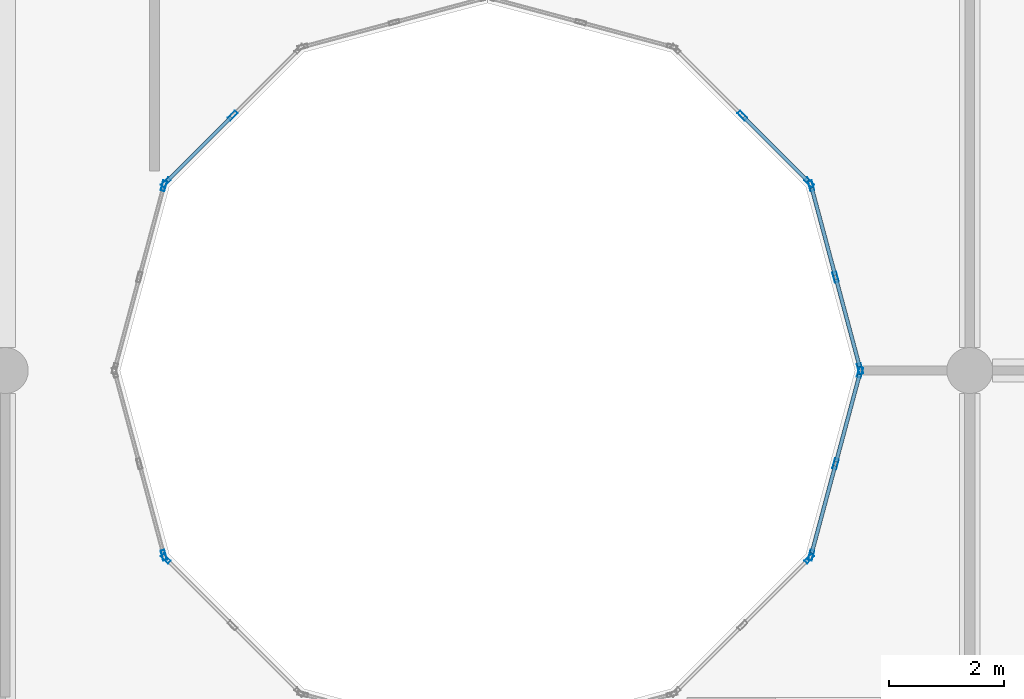
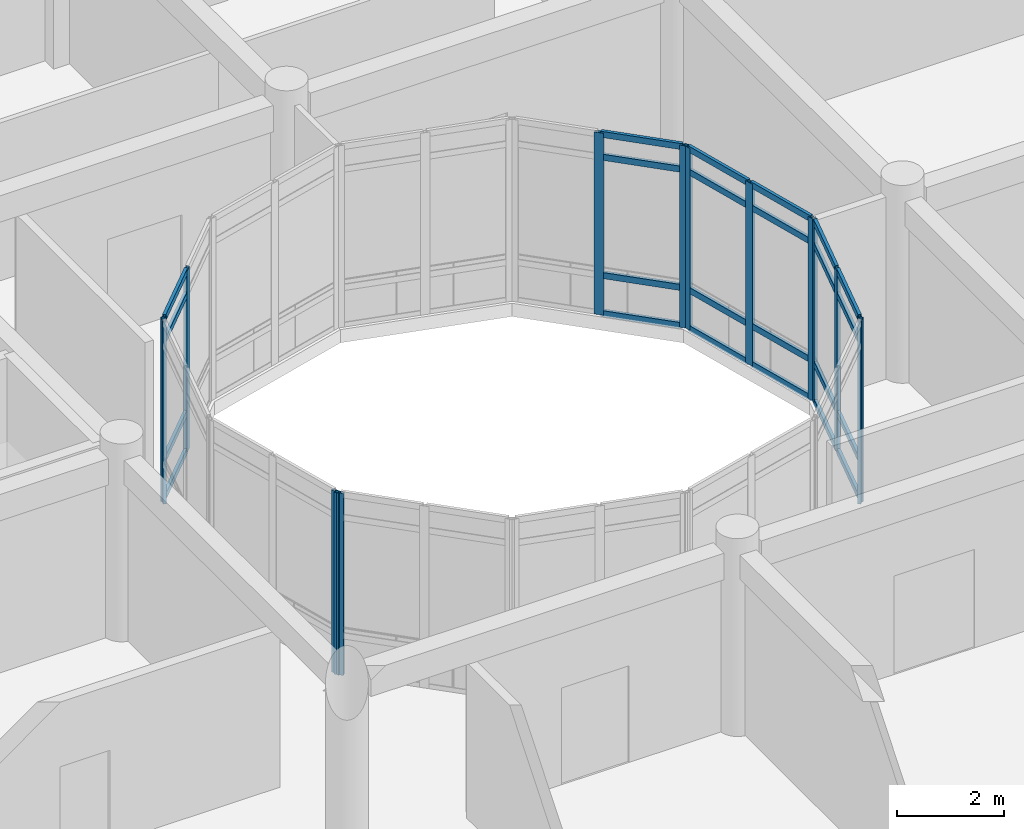
# One storey, part 53 of 144: 38 members, 8 elements without a shape of their own.
"""IFC4 building model written with IfcOpenShell, lengths in metres."""

from ifc_helpers import new_model, si_unit, direction, frame, origin, origin_2d, place, context, subcontext, project, spatial, hollow_rectangle, extrude, material, layer, layer_set, material_profile, profile_set, type_object, element, aggregate, save


model = new_model("IFC4")

# Units and contexts
model_context = context("Model", 3, precision=1e-05, world=origin(), true_north=direction((0.0, 1.0)))
body_context = subcontext(model_context, "Body", "Model", "MODEL_VIEW")
ifc_project = project(units=[si_unit("LENGTHUNIT", "METRE"), si_unit("AREAUNIT", "SQUARE_METRE"), si_unit("VOLUMEUNIT", "CUBIC_METRE"), si_unit("PLANEANGLEUNIT", "RADIAN"), si_unit("MASSUNIT", "GRAM", prefix="KILO")], contexts=[model_context])

# Site, building, storey
site_placement = place(None, origin())
site = spatial("IfcSite", under=ifc_project, at=site_placement, CompositionType="ELEMENT")
building_placement = place(site_placement, origin())
building = spatial("IfcBuilding", under=site, at=building_placement, Name="Bramfleet General Hospital", CompositionType="ELEMENT")
storey_placement = place(building_placement, frame((0.0, 0.0, 4.800048828125)))
storey = spatial("IfcBuildingStorey", under=building, at=storey_placement, Name="L01", CompositionType="ELEMENT", Elevation=4.800048828125)

# Curtain wall, member
ifc_material_1 = material(Name="Anodised aluminium and low-E triple glazing", Category="aluminium")
ifc_layer_1 = layer(ifc_material_1, 0.179931640625, Name="CWT-CW-17")
ifc_layer_set_1 = layer_set([ifc_layer_1], Name="Anodised aluminium and low-E triple glazing")
curtain_wall_type_1 = type_object("IfcCurtainWallType", Name="CWT-CW-17", PredefinedType="USERDEFINED", material=ifc_layer_set_1)
curtain_wall_1_placement = place(storey_placement, origin())
curtain_wall_1 = element("IfcCurtainWall", 1, at=curtain_wall_1_placement, inside=storey, type_object=curtain_wall_type_1, Name="L01 East Laboratory Light Court Curtain Wall 1.1", ObjectType="Stick curtain wall", PredefinedType="USERDEFINED")
ifc_material_2 = material(Name="Anodised aluminium EN AW-6060", Category="aluminium")
ifc_material_profile_1 = material_profile(ifc_material_2, hollow_rectangle(XDim=0.070068359375, YDim=0.179931640625, WallThickness=0.00390625, at=origin_2d()), Name="ALU 180x70x4.0")
ifc_profile_set_1 = profile_set([ifc_material_profile_1], Name="Anodised aluminium EN AW-6060")
member_type_1 = type_object("IfcMemberType", Name="CWM-ALU180", PredefinedType="MULLION", material=ifc_profile_set_1)
member_1_placement = place(storey_placement, frame((111.9619140625, 63.98388671875, 0.0), z_axis=(0.0, 0.0, 1.0), x_axis=(0.965913556273, 0.258864833085, 0.0)))
member_1 = element("IfcMember", 2, at=member_1_placement, type_object=member_type_1, Name="CW-17 mullion 3", PredefinedType="MULLION", context=body_context, shape_type="SweptSolid", body=[
    extrude(hollow_rectangle(XDim=0.070068359375, YDim=0.179931640625, WallThickness=0.00390625, at=origin_2d()), origin(), (0.0, 0.0, 1.0), 4.139892578125),
])
aggregate(curtain_wall_1, [member_1])

ifc_layer_2 = layer(ifc_material_1, 0.179931640625, Name="CWT-CW-18")
ifc_layer_set_2 = layer_set([ifc_layer_2], Name="Anodised aluminium and low-E triple glazing")
curtain_wall_type_2 = type_object("IfcCurtainWallType", Name="CWT-CW-18", PredefinedType="USERDEFINED", material=ifc_layer_set_2)
curtain_wall_2_placement = place(storey_placement, origin())
curtain_wall_2 = element("IfcCurtainWall", 3, at=curtain_wall_2_placement, inside=storey, type_object=curtain_wall_type_2, Name="L01 East Laboratory Light Court Curtain Wall 2.1", ObjectType="Stick curtain wall", PredefinedType="USERDEFINED")
member_2_placement = place(storey_placement, frame((111.995849609375, 63.92529296875, 0.0), z_axis=(0.0, 0.0, 1.0), x_axis=(0.707106781187, 0.707106781187, 0.0)))
member_2 = element("IfcMember", 4, at=member_2_placement, type_object=member_type_1, Name="CW-18 mullion 1", PredefinedType="MULLION", context=body_context, shape_type="SweptSolid", body=[
    extrude(hollow_rectangle(XDim=0.070068359375, YDim=0.179931640625, WallThickness=0.00390625, at=origin_2d()), origin(), (0.0, 0.0, 1.0), 4.139892578125),
])
aggregate(curtain_wall_2, [member_2])

ifc_layer_3 = layer(ifc_material_1, 0.179931640625, Name="CWT-CW-13")
ifc_layer_set_3 = layer_set([ifc_layer_3], Name="Anodised aluminium and low-E triple glazing")
curtain_wall_type_3 = type_object("IfcCurtainWallType", Name="CWT-CW-13", PredefinedType="USERDEFINED", material=ifc_layer_set_3)
curtain_wall_3_placement = place(storey_placement, origin())
curtain_wall_3 = element("IfcCurtainWall", 5, at=curtain_wall_3_placement, inside=storey, type_object=curtain_wall_type_3, Name="L01 East Laboratory Light Court Curtain Wall 5.1", ObjectType="Stick curtain wall", PredefinedType="USERDEFINED")
member_3_placement = place(storey_placement, frame((123.204345703125, 63.92529296875, 0.0), z_axis=(0.0, 0.0, 1.0), x_axis=(-0.707106781187, 0.707106781187, 0.0)))
member_3 = element("IfcMember", 6, at=member_3_placement, type_object=member_type_1, Name="CW-13 mullion 3", PredefinedType="MULLION", context=body_context, shape_type="SweptSolid", body=[
    extrude(hollow_rectangle(XDim=0.070068359375, YDim=0.179931640625, WallThickness=0.00390625, at=origin_2d()), origin(), (0.0, 0.0, 1.0), 4.139892578125),
])
aggregate(curtain_wall_3, [member_3])

# Curtain wall, members
ifc_layer_4 = layer(ifc_material_1, 0.179931640625, Name="CWT-CW-14")
ifc_layer_set_4 = layer_set([ifc_layer_4], Name="Anodised aluminium and low-E triple glazing")
curtain_wall_type_4 = type_object("IfcCurtainWallType", Name="CWT-CW-14", PredefinedType="USERDEFINED", material=ifc_layer_set_4)
curtain_wall_4_placement = place(storey_placement, origin())
curtain_wall_4 = element("IfcCurtainWall", 7, at=curtain_wall_4_placement, inside=storey, type_object=curtain_wall_type_4, Name="L01 East Laboratory Light Court Curtain Wall 6.1", ObjectType="Stick curtain wall", PredefinedType="USERDEFINED")
member_4_placement = place(storey_placement, frame((123.238037109375, 63.98388671875, 0.0), z_axis=(0.0, 0.0, 1.0), x_axis=(-0.965913556273, 0.258864833085, 0.0)))
member_4 = element("IfcMember", 8, at=member_4_placement, type_object=member_type_1, Name="CW-14 mullion 1", PredefinedType="MULLION", context=body_context, shape_type="SweptSolid", body=[
    extrude(hollow_rectangle(XDim=0.070068359375, YDim=0.179931640625, WallThickness=0.00390625, at=origin_2d()), origin(), (0.0, 0.0, 1.0), 4.139892578125),
])
member_5_placement = place(storey_placement, frame((123.66455078125, 65.574951171875, 0.0), z_axis=(0.0, 0.0, 1.0), x_axis=(-0.965913556273, 0.258864833085, 0.0)))
member_5 = element("IfcMember", 9, at=member_5_placement, type_object=member_type_1, Name="CW-14 mullion 2", PredefinedType="MULLION", context=body_context, shape_type="SweptSolid", body=[
    extrude(hollow_rectangle(XDim=0.070068359375, YDim=0.179931640625, WallThickness=0.00390625, at=origin_2d()), origin(), (0.0, 0.0, 1.0), 4.139892578125),
])
member_6_placement = place(storey_placement, frame((124.0908203125, 67.166259765625, 0.0), z_axis=(0.0, 0.0, 1.0), x_axis=(-0.965913556273, 0.258864833085, 0.0)))
member_6 = element("IfcMember", 10, at=member_6_placement, type_object=member_type_1, Name="CW-14 mullion 3", PredefinedType="MULLION", context=body_context, shape_type="SweptSolid", body=[
    extrude(hollow_rectangle(XDim=0.070068359375, YDim=0.179931640625, WallThickness=0.00390625, at=origin_2d()), origin(), (0.0, 0.0, 1.0), 4.139892578125),
])

ifc_layer_5 = layer(ifc_material_1, 0.179931640625, Name="CWT-CW-15")
ifc_layer_set_5 = layer_set([ifc_layer_5], Name="Anodised aluminium and low-E triple glazing")
curtain_wall_type_5 = type_object("IfcCurtainWallType", Name="CWT-CW-15", PredefinedType="USERDEFINED", material=ifc_layer_set_5)
curtain_wall_5_placement = place(storey_placement, origin())
curtain_wall_5 = element("IfcCurtainWall", 11, at=curtain_wall_5_placement, inside=storey, type_object=curtain_wall_type_5, Name="L01 East Laboratory Light Court Curtain Wall 7.1", ObjectType="Stick curtain wall", PredefinedType="USERDEFINED")
member_7_placement = place(storey_placement, frame((124.0908203125, 67.23388671875, 0.0), z_axis=(0.0, 0.0, 1.0), x_axis=(-0.965913556273, -0.258864833085, 0.0)))
member_7 = element("IfcMember", 12, at=member_7_placement, type_object=member_type_1, Name="CW-15 mullion 1", PredefinedType="MULLION", context=body_context, shape_type="SweptSolid", body=[
    extrude(hollow_rectangle(XDim=0.070068359375, YDim=0.179931640625, WallThickness=0.00390625, at=origin_2d()), origin(), (0.0, 0.0, 1.0), 4.139892578125),
])
member_8_placement = place(storey_placement, frame((123.66455078125, 68.824951171875, 0.0), z_axis=(0.0, 0.0, 1.0), x_axis=(-0.965913556273, -0.258864833085, 0.0)))
member_8 = element("IfcMember", 13, at=member_8_placement, type_object=member_type_1, Name="CW-15 mullion 2", PredefinedType="MULLION", context=body_context, shape_type="SweptSolid", body=[
    extrude(hollow_rectangle(XDim=0.070068359375, YDim=0.179931640625, WallThickness=0.00390625, at=origin_2d()), origin(), (0.0, 0.0, 1.0), 4.139892578125),
])
member_9_placement = place(storey_placement, frame((123.238037109375, 70.416259765625, 0.0), z_axis=(0.0, 0.0, 1.0), x_axis=(-0.965913556273, -0.258864833085, 0.0)))
member_9 = element("IfcMember", 14, at=member_9_placement, type_object=member_type_1, Name="CW-15 mullion 3", PredefinedType="MULLION", context=body_context, shape_type="SweptSolid", body=[
    extrude(hollow_rectangle(XDim=0.070068359375, YDim=0.179931640625, WallThickness=0.00390625, at=origin_2d()), origin(), (0.0, 0.0, 1.0), 4.139892578125),
])

ifc_layer_6 = layer(ifc_material_1, 0.179931640625, Name="CWT-CW-16")
ifc_layer_set_6 = layer_set([ifc_layer_6], Name="Anodised aluminium and low-E triple glazing")
curtain_wall_type_6 = type_object("IfcCurtainWallType", Name="CWT-CW-16", PredefinedType="USERDEFINED", material=ifc_layer_set_6)
curtain_wall_6_placement = place(storey_placement, origin())
curtain_wall_6 = element("IfcCurtainWall", 15, at=curtain_wall_6_placement, inside=storey, type_object=curtain_wall_type_6, Name="L01 East Laboratory Light Court Curtain Wall 8.1", ObjectType="Stick curtain wall", PredefinedType="USERDEFINED")
member_10_placement = place(storey_placement, frame((123.204345703125, 70.474853515625, 0.0), z_axis=(0.0, 0.0, 1.0), x_axis=(-0.707106781187, -0.707106781187, 0.0)))
member_10 = element("IfcMember", 16, at=member_10_placement, type_object=member_type_1, Name="CW-16 mullion 1", PredefinedType="MULLION", context=body_context, shape_type="SweptSolid", body=[
    extrude(hollow_rectangle(XDim=0.070068359375, YDim=0.179931640625, WallThickness=0.00390625, at=origin_2d()), origin(), (0.0, 0.0, 1.0), 4.139892578125),
])
member_11_placement = place(storey_placement, frame((122.03955078125, 71.639404296875, 0.0), z_axis=(0.0, 0.0, 1.0), x_axis=(-0.707106781187, -0.707106781187, 0.0)))
member_11 = element("IfcMember", 17, at=member_11_placement, type_object=member_type_1, Name="CW-16 mullion 2", PredefinedType="MULLION", context=body_context, shape_type="SweptSolid", body=[
    extrude(hollow_rectangle(XDim=0.070068359375, YDim=0.179931640625, WallThickness=0.00390625, at=origin_2d()), origin(), (0.0, 0.0, 1.0), 4.139892578125),
])

ifc_layer_7 = layer(ifc_material_1, 0.179931640625, Name="CWT-CW-11")
ifc_layer_set_7 = layer_set([ifc_layer_7], Name="Anodised aluminium and low-E triple glazing")
curtain_wall_type_7 = type_object("IfcCurtainWallType", Name="CWT-CW-11", PredefinedType="USERDEFINED", material=ifc_layer_set_7)
curtain_wall_7_placement = place(storey_placement, origin())
curtain_wall_7 = element("IfcCurtainWall", 18, at=curtain_wall_7_placement, inside=storey, type_object=curtain_wall_type_7, Name="L01 East Laboratory Light Court Curtain Wall 11.1", ObjectType="Stick curtain wall", PredefinedType="USERDEFINED")
member_12_placement = place(storey_placement, frame((113.160400390625, 71.639404296875, 0.0), z_axis=(0.0, 0.0, 1.0), x_axis=(0.707106781187, -0.707106781187, 0.0)))
member_12 = element("IfcMember", 19, at=member_12_placement, type_object=member_type_1, Name="CW-11 mullion 2", PredefinedType="MULLION", context=body_context, shape_type="SweptSolid", body=[
    extrude(hollow_rectangle(XDim=0.070068359375, YDim=0.179931640625, WallThickness=0.00390625, at=origin_2d()), origin(), (0.0, 0.0, 1.0), 4.139892578125),
])
member_13_placement = place(storey_placement, frame((111.995849609375, 70.474853515625, 0.0), z_axis=(0.0, 0.0, 1.0), x_axis=(0.707106781187, -0.707106781187, 0.0)))
member_13 = element("IfcMember", 20, at=member_13_placement, type_object=member_type_1, Name="CW-11 mullion 3", PredefinedType="MULLION", context=body_context, shape_type="SweptSolid", body=[
    extrude(hollow_rectangle(XDim=0.070068359375, YDim=0.179931640625, WallThickness=0.00390625, at=origin_2d()), origin(), (0.0, 0.0, 1.0), 4.139892578125),
])

# Curtain wall, member
ifc_layer_8 = layer(ifc_material_1, 0.179931640625, Name="CWT-CW-12")
ifc_layer_set_8 = layer_set([ifc_layer_8], Name="Anodised aluminium and low-E triple glazing")
curtain_wall_type_8 = type_object("IfcCurtainWallType", Name="CWT-CW-12", PredefinedType="USERDEFINED", material=ifc_layer_set_8)
curtain_wall_8_placement = place(storey_placement, origin())
curtain_wall_8 = element("IfcCurtainWall", 21, at=curtain_wall_8_placement, inside=storey, type_object=curtain_wall_type_8, Name="L01 East Laboratory Light Court Curtain Wall 12.1", ObjectType="Stick curtain wall", PredefinedType="USERDEFINED")
member_14_placement = place(storey_placement, frame((111.9619140625, 70.416259765625, 0.0), z_axis=(0.0, 0.0, 1.0), x_axis=(0.965913556273, -0.258864833085, 0.0)))
member_14 = element("IfcMember", 22, at=member_14_placement, type_object=member_type_1, Name="CW-12 mullion 1", PredefinedType="MULLION", context=body_context, shape_type="SweptSolid", body=[
    extrude(hollow_rectangle(XDim=0.070068359375, YDim=0.179931640625, WallThickness=0.00390625, at=origin_2d()), origin(), (0.0, 0.0, 1.0), 4.139892578125),
])
aggregate(curtain_wall_8, [member_14])

# Member
ifc_material_profile_2 = material_profile(ifc_material_2, hollow_rectangle(XDim=0.06494140625, YDim=0.139892578125, WallThickness=0.00390625, at=origin_2d()), Name="ALU 140x65x4.0")
ifc_profile_set_2 = profile_set([ifc_material_profile_2], Name="Anodised aluminium EN AW-6060")
member_type_2 = type_object("IfcMemberType", Name="CWT-ALU140", PredefinedType="USERDEFINED", material=ifc_profile_set_2)
member_15_placement = place(storey_placement, frame((123.2470703125, 64.017578125, 0.032470703125), z_axis=(0.258924323505, 0.965897610877, 0.0), x_axis=(-0.965897610877, 0.258924323505, 0.0)))
member_15 = element("IfcMember", 23, at=member_15_placement, type_object=member_type_2, Name="CW-14 transom 1.1", ObjectType="TRANSOM", PredefinedType="USERDEFINED", context=body_context, shape_type="SweptSolid", body=[
    extrude(hollow_rectangle(XDim=0.06494140625, YDim=0.139892578125, WallThickness=0.00390625, at=origin_2d()), origin(), (0.0, 0.0, 1.0), 1.577392578125),
])

member_16_placement = place(storey_placement, frame((123.2470703125, 64.017578125, 0.89990234375), z_axis=(0.258924323505, 0.965897610877, 0.0), x_axis=(-0.965897610877, 0.258924323505, 0.0)))
member_16 = element("IfcMember", 24, at=member_16_placement, type_object=member_type_2, Name="CW-14 transom 1.2", ObjectType="TRANSOM", PredefinedType="USERDEFINED", context=body_context, shape_type="SweptSolid", body=[
    extrude(hollow_rectangle(XDim=0.06494140625, YDim=0.139892578125, WallThickness=0.00390625, at=origin_2d()), origin(), (0.0, 0.0, 1.0), 1.577392578125),
])

member_17_placement = place(storey_placement, frame((123.2470703125, 64.017578125, 3.58984375), z_axis=(0.258924323505, 0.965897610877, 0.0), x_axis=(-0.965897610877, 0.258924323505, 0.0)))
member_17 = element("IfcMember", 25, at=member_17_placement, type_object=member_type_2, Name="CW-14 transom 1.3", ObjectType="TRANSOM", PredefinedType="USERDEFINED", context=body_context, shape_type="SweptSolid", body=[
    extrude(hollow_rectangle(XDim=0.06494140625, YDim=0.139892578125, WallThickness=0.00390625, at=origin_2d()), origin(), (0.0, 0.0, 1.0), 1.577392578125),
])

member_18_placement = place(storey_placement, frame((123.2470703125, 64.017578125, 4.107421875), z_axis=(0.258924323505, 0.965897610877, 0.0), x_axis=(-0.965897610877, 0.258924323505, 0.0)))
member_18 = element("IfcMember", 26, at=member_18_placement, type_object=member_type_2, Name="CW-14 transom 1.4", ObjectType="TRANSOM", PredefinedType="USERDEFINED", context=body_context, shape_type="SweptSolid", body=[
    extrude(hollow_rectangle(XDim=0.06494140625, YDim=0.139892578125, WallThickness=0.00390625, at=origin_2d()), origin(), (0.0, 0.0, 1.0), 1.577392578125),
])

member_19_placement = place(storey_placement, frame((123.673583984375, 65.60888671875, 0.032470703125), z_axis=(0.258818617489, 0.965925940868, 0.0), x_axis=(-0.965925940868, 0.258818617489, 0.0)))
member_19 = element("IfcMember", 27, at=member_19_placement, type_object=member_type_2, Name="CW-14 transom 2.1", ObjectType="TRANSOM", PredefinedType="USERDEFINED", context=body_context, shape_type="SweptSolid", body=[
    extrude(hollow_rectangle(XDim=0.06494140625, YDim=0.139892578125, WallThickness=0.00390625, at=origin_2d()), origin(), (0.0, 0.0, 1.0), 1.5771484375),
])

member_20_placement = place(storey_placement, frame((123.673583984375, 65.60888671875, 0.89990234375), z_axis=(0.258818617489, 0.965925940868, 0.0), x_axis=(-0.965925940868, 0.258818617489, 0.0)))
member_20 = element("IfcMember", 28, at=member_20_placement, type_object=member_type_2, Name="CW-14 transom 2.2", ObjectType="TRANSOM", PredefinedType="USERDEFINED", context=body_context, shape_type="SweptSolid", body=[
    extrude(hollow_rectangle(XDim=0.06494140625, YDim=0.139892578125, WallThickness=0.00390625, at=origin_2d()), origin(), (0.0, 0.0, 1.0), 1.5771484375),
])

member_21_placement = place(storey_placement, frame((123.673583984375, 65.60888671875, 3.58984375), z_axis=(0.258818617489, 0.965925940868, 0.0), x_axis=(-0.965925940868, 0.258818617489, 0.0)))
member_21 = element("IfcMember", 29, at=member_21_placement, type_object=member_type_2, Name="CW-14 transom 2.3", ObjectType="TRANSOM", PredefinedType="USERDEFINED", context=body_context, shape_type="SweptSolid", body=[
    extrude(hollow_rectangle(XDim=0.06494140625, YDim=0.139892578125, WallThickness=0.00390625, at=origin_2d()), origin(), (0.0, 0.0, 1.0), 1.5771484375),
])

member_22_placement = place(storey_placement, frame((123.673583984375, 65.60888671875, 4.107421875), z_axis=(0.258818617489, 0.965925940868, 0.0), x_axis=(-0.965925940868, 0.258818617489, 0.0)))
member_22 = element("IfcMember", 30, at=member_22_placement, type_object=member_type_2, Name="CW-14 transom 2.4", ObjectType="TRANSOM", PredefinedType="USERDEFINED", context=body_context, shape_type="SweptSolid", body=[
    extrude(hollow_rectangle(XDim=0.06494140625, YDim=0.139892578125, WallThickness=0.00390625, at=origin_2d()), origin(), (0.0, 0.0, 1.0), 1.5771484375),
])

aggregate(curtain_wall_4, [member_4, member_5, member_6, member_15, member_16, member_17, member_18, member_19, member_20, member_21, member_22])

member_23_placement = place(storey_placement, frame((124.081787109375, 67.267578125, 0.032470703125), z_axis=(-0.25877992417, 0.965936307862, 0.0), x_axis=(-0.965936307862, -0.25877992417, 0.0)))
member_23 = element("IfcMember", 31, at=member_23_placement, type_object=member_type_2, Name="CW-15 transom 1.1", ObjectType="TRANSOM", PredefinedType="USERDEFINED", context=body_context, shape_type="SweptSolid", body=[
    extrude(hollow_rectangle(XDim=0.06494140625, YDim=0.139892578125, WallThickness=0.00390625, at=origin_2d()), origin(), (0.0, 0.0, 1.0), 1.577392578125),
])

member_24_placement = place(storey_placement, frame((124.081787109375, 67.267578125, 0.89990234375), z_axis=(-0.25877992417, 0.965936307862, 0.0), x_axis=(-0.965936307862, -0.25877992417, 0.0)))
member_24 = element("IfcMember", 32, at=member_24_placement, type_object=member_type_2, Name="CW-15 transom 1.2", ObjectType="TRANSOM", PredefinedType="USERDEFINED", context=body_context, shape_type="SweptSolid", body=[
    extrude(hollow_rectangle(XDim=0.06494140625, YDim=0.139892578125, WallThickness=0.00390625, at=origin_2d()), origin(), (0.0, 0.0, 1.0), 1.577392578125),
])

member_25_placement = place(storey_placement, frame((124.081787109375, 67.267578125, 3.58984375), z_axis=(-0.25877992417, 0.965936307862, 0.0), x_axis=(-0.965936307862, -0.25877992417, 0.0)))
member_25 = element("IfcMember", 33, at=member_25_placement, type_object=member_type_2, Name="CW-15 transom 1.3", ObjectType="TRANSOM", PredefinedType="USERDEFINED", context=body_context, shape_type="SweptSolid", body=[
    extrude(hollow_rectangle(XDim=0.06494140625, YDim=0.139892578125, WallThickness=0.00390625, at=origin_2d()), origin(), (0.0, 0.0, 1.0), 1.577392578125),
])

member_26_placement = place(storey_placement, frame((124.081787109375, 67.267578125, 4.107421875), z_axis=(-0.25877992417, 0.965936307862, 0.0), x_axis=(-0.965936307862, -0.25877992417, 0.0)))
member_26 = element("IfcMember", 34, at=member_26_placement, type_object=member_type_2, Name="CW-15 transom 1.4", ObjectType="TRANSOM", PredefinedType="USERDEFINED", context=body_context, shape_type="SweptSolid", body=[
    extrude(hollow_rectangle(XDim=0.06494140625, YDim=0.139892578125, WallThickness=0.00390625, at=origin_2d()), origin(), (0.0, 0.0, 1.0), 1.577392578125),
])

member_27_placement = place(storey_placement, frame((123.655517578125, 68.85888671875, 0.032470703125), z_axis=(-0.258963035312, 0.965887232725, 0.0), x_axis=(-0.965887232725, -0.258963035312, 0.0)))
member_27 = element("IfcMember", 35, at=member_27_placement, type_object=member_type_2, Name="CW-15 transom 2.1", ObjectType="TRANSOM", PredefinedType="USERDEFINED", context=body_context, shape_type="SweptSolid", body=[
    extrude(hollow_rectangle(XDim=0.06494140625, YDim=0.139892578125, WallThickness=0.00390625, at=origin_2d()), origin(), (0.0, 0.0, 1.0), 1.5771484375),
])

member_28_placement = place(storey_placement, frame((123.655517578125, 68.85888671875, 0.89990234375), z_axis=(-0.258963035312, 0.965887232725, 0.0), x_axis=(-0.965887232725, -0.258963035312, 0.0)))
member_28 = element("IfcMember", 36, at=member_28_placement, type_object=member_type_2, Name="CW-15 transom 2.2", ObjectType="TRANSOM", PredefinedType="USERDEFINED", context=body_context, shape_type="SweptSolid", body=[
    extrude(hollow_rectangle(XDim=0.06494140625, YDim=0.139892578125, WallThickness=0.00390625, at=origin_2d()), origin(), (0.0, 0.0, 1.0), 1.5771484375),
])

member_29_placement = place(storey_placement, frame((123.655517578125, 68.85888671875, 3.58984375), z_axis=(-0.258963035312, 0.965887232725, 0.0), x_axis=(-0.965887232725, -0.258963035312, 0.0)))
member_29 = element("IfcMember", 37, at=member_29_placement, type_object=member_type_2, Name="CW-15 transom 2.3", ObjectType="TRANSOM", PredefinedType="USERDEFINED", context=body_context, shape_type="SweptSolid", body=[
    extrude(hollow_rectangle(XDim=0.06494140625, YDim=0.139892578125, WallThickness=0.00390625, at=origin_2d()), origin(), (0.0, 0.0, 1.0), 1.5771484375),
])

member_30_placement = place(storey_placement, frame((123.655517578125, 68.85888671875, 4.107421875), z_axis=(-0.258963035312, 0.965887232725, 0.0), x_axis=(-0.965887232725, -0.258963035312, 0.0)))
member_30 = element("IfcMember", 38, at=member_30_placement, type_object=member_type_2, Name="CW-15 transom 2.4", ObjectType="TRANSOM", PredefinedType="USERDEFINED", context=body_context, shape_type="SweptSolid", body=[
    extrude(hollow_rectangle(XDim=0.06494140625, YDim=0.139892578125, WallThickness=0.00390625, at=origin_2d()), origin(), (0.0, 0.0, 1.0), 1.5771484375),
])

aggregate(curtain_wall_5, [member_7, member_8, member_9, member_23, member_24, member_25, member_26, member_27, member_28, member_29, member_30])

member_31_placement = place(storey_placement, frame((123.179443359375, 70.49951171875, 0.032470703125), z_axis=(-0.707106781187, 0.707106781187, 0.0), x_axis=(-0.707106781187, -0.707106781187, 0.0)))
member_31 = element("IfcMember", 39, at=member_31_placement, type_object=member_type_2, Name="CW-16 transom 1.1", ObjectType="TRANSOM", PredefinedType="USERDEFINED", context=body_context, shape_type="SweptSolid", body=[
    extrude(hollow_rectangle(XDim=0.06494140625, YDim=0.139892578125, WallThickness=0.00390625, at=origin_2d()), origin(), (0.0, 0.0, 1.0), 1.5771484375),
])

member_32_placement = place(storey_placement, frame((123.179443359375, 70.49951171875, 0.89990234375), z_axis=(-0.707106781187, 0.707106781187, 0.0), x_axis=(-0.707106781187, -0.707106781187, 0.0)))
member_32 = element("IfcMember", 40, at=member_32_placement, type_object=member_type_2, Name="CW-16 transom 1.2", ObjectType="TRANSOM", PredefinedType="USERDEFINED", context=body_context, shape_type="SweptSolid", body=[
    extrude(hollow_rectangle(XDim=0.06494140625, YDim=0.139892578125, WallThickness=0.00390625, at=origin_2d()), origin(), (0.0, 0.0, 1.0), 1.5771484375),
])

member_33_placement = place(storey_placement, frame((123.179443359375, 70.49951171875, 3.58984375), z_axis=(-0.707106781187, 0.707106781187, 0.0), x_axis=(-0.707106781187, -0.707106781187, 0.0)))
member_33 = element("IfcMember", 41, at=member_33_placement, type_object=member_type_2, Name="CW-16 transom 1.3", ObjectType="TRANSOM", PredefinedType="USERDEFINED", context=body_context, shape_type="SweptSolid", body=[
    extrude(hollow_rectangle(XDim=0.06494140625, YDim=0.139892578125, WallThickness=0.00390625, at=origin_2d()), origin(), (0.0, 0.0, 1.0), 1.5771484375),
])

member_34_placement = place(storey_placement, frame((123.179443359375, 70.49951171875, 4.107421875), z_axis=(-0.707106781187, 0.707106781187, 0.0), x_axis=(-0.707106781187, -0.707106781187, 0.0)))
member_34 = element("IfcMember", 42, at=member_34_placement, type_object=member_type_2, Name="CW-16 transom 1.4", ObjectType="TRANSOM", PredefinedType="USERDEFINED", context=body_context, shape_type="SweptSolid", body=[
    extrude(hollow_rectangle(XDim=0.06494140625, YDim=0.139892578125, WallThickness=0.00390625, at=origin_2d()), origin(), (0.0, 0.0, 1.0), 1.5771484375),
])

aggregate(curtain_wall_6, [member_10, member_11, member_31, member_32, member_33, member_34])

member_35_placement = place(storey_placement, frame((113.1357421875, 71.61474609375, 0.032470703125), z_axis=(-0.707106781187, -0.707106781187, 0.0), x_axis=(0.707106781187, -0.707106781187, 0.0)))
member_35 = element("IfcMember", 43, at=member_35_placement, type_object=member_type_2, Name="CW-11 transom 2.1", ObjectType="TRANSOM", PredefinedType="USERDEFINED", context=body_context, shape_type="SweptSolid", body=[
    extrude(hollow_rectangle(XDim=0.06494140625, YDim=0.139892578125, WallThickness=0.00390625, at=origin_2d()), origin(), (0.0, 0.0, 1.0), 1.5771484375),
])

member_36_placement = place(storey_placement, frame((113.1357421875, 71.61474609375, 0.89990234375), z_axis=(-0.707106781187, -0.707106781187, 0.0), x_axis=(0.707106781187, -0.707106781187, 0.0)))
member_36 = element("IfcMember", 44, at=member_36_placement, type_object=member_type_2, Name="CW-11 transom 2.2", ObjectType="TRANSOM", PredefinedType="USERDEFINED", context=body_context, shape_type="SweptSolid", body=[
    extrude(hollow_rectangle(XDim=0.06494140625, YDim=0.139892578125, WallThickness=0.00390625, at=origin_2d()), origin(), (0.0, 0.0, 1.0), 1.5771484375),
])

member_37_placement = place(storey_placement, frame((113.1357421875, 71.61474609375, 3.58984375), z_axis=(-0.707106781187, -0.707106781187, 0.0), x_axis=(0.707106781187, -0.707106781187, 0.0)))
member_37 = element("IfcMember", 45, at=member_37_placement, type_object=member_type_2, Name="CW-11 transom 2.3", ObjectType="TRANSOM", PredefinedType="USERDEFINED", context=body_context, shape_type="SweptSolid", body=[
    extrude(hollow_rectangle(XDim=0.06494140625, YDim=0.139892578125, WallThickness=0.00390625, at=origin_2d()), origin(), (0.0, 0.0, 1.0), 1.5771484375),
])

member_38_placement = place(storey_placement, frame((113.1357421875, 71.61474609375, 4.107421875), z_axis=(-0.707106781187, -0.707106781187, 0.0), x_axis=(0.707106781187, -0.707106781187, 0.0)))
member_38 = element("IfcMember", 46, at=member_38_placement, type_object=member_type_2, Name="CW-11 transom 2.4", ObjectType="TRANSOM", PredefinedType="USERDEFINED", context=body_context, shape_type="SweptSolid", body=[
    extrude(hollow_rectangle(XDim=0.06494140625, YDim=0.139892578125, WallThickness=0.00390625, at=origin_2d()), origin(), (0.0, 0.0, 1.0), 1.5771484375),
])

aggregate(curtain_wall_7, [member_12, member_13, member_35, member_36, member_37, member_38])

save(model, "model.ifc")
